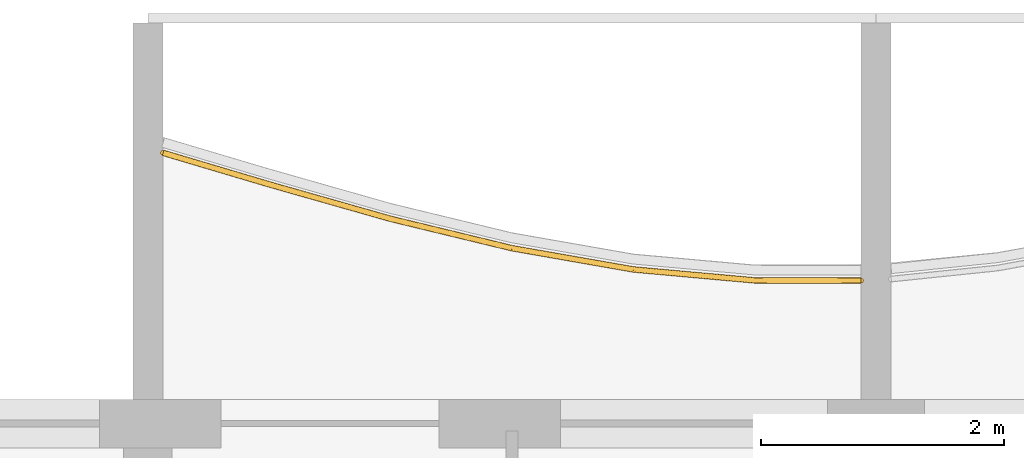
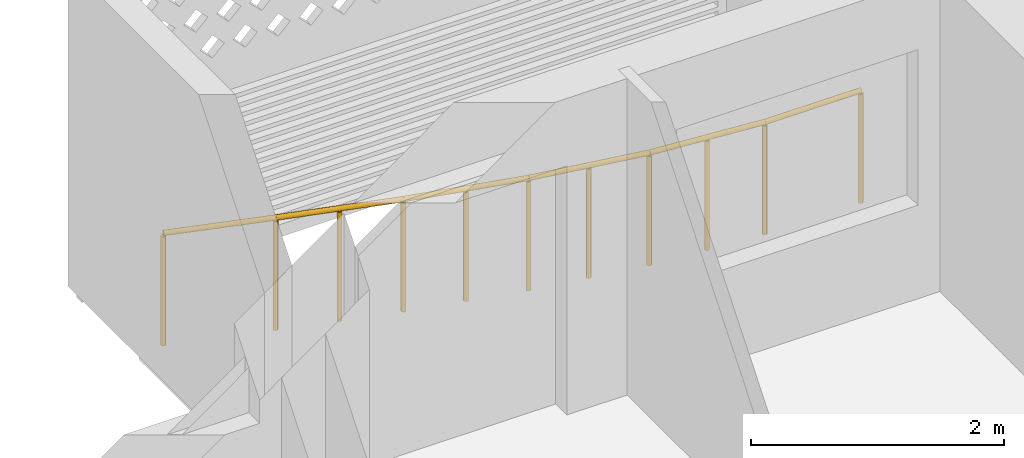
# One storey, part 33 of 40: 1 railing.
"""IFC4 building model written with IfcOpenShell, lengths in metres."""

from ifc_helpers import new_model, si_unit, direction, frame, origin, origin_2d, place, context, subcontext, project, spatial, circle, extrude, material, type_object, element, save


model = new_model("IFC4")

# Units and contexts
model_context = context("Model", 3, precision=1e-05, world=origin(), true_north=direction((0.0, 1.0)))
body_context = subcontext(model_context, "Body", "Model", "MODEL_VIEW")
ifc_project = project(units=[si_unit("LENGTHUNIT", "METRE"), si_unit("AREAUNIT", "SQUARE_METRE"), si_unit("VOLUMEUNIT", "CUBIC_METRE"), si_unit("PLANEANGLEUNIT", "RADIAN"), si_unit("MASSUNIT", "GRAM", prefix="KILO")], contexts=[model_context])

# Site, building, storey
site_placement = place(None, origin())
site = spatial("IfcSite", under=ifc_project, at=site_placement, CompositionType="ELEMENT")
building_placement = place(site_placement, origin())
building = spatial("IfcBuilding", under=site, at=building_placement, Name="Poui Terraces", CompositionType="ELEMENT")
storey_placement = place(building_placement, frame((0.0, 0.0, 36.60009765625)))
storey = spatial("IfcBuildingStorey", under=building, at=storey_placement, Name="L09", CompositionType="ELEMENT", Elevation=36.60009765625)

# Railing
ifc_material = material(Name="Painted steel fretwork", Category="steel")
railing_type = type_object("IfcRailingType", Name="BALCONY GUARD 1100", PredefinedType="GUARDRAIL", material=ifc_material)
railing_placement = place(storey_placement, frame((72.125, 47.031005859375, 0.0)))
element("IfcRailing", 1, at=railing_placement, inside=storey, type_object=railing_type, Name="BALCONY GUARD", PredefinedType="GUARDRAIL", context=body_context, shape_type="SweptSolid", body=[
    extrude(circle(Radius=0.02392578125, at=origin_2d()), frame((0.0, 0.0, 1.076171875), z_axis=(0.958646866278, -0.284598288426, 0.0), x_axis=(0.284598288426, 0.958646866278, 0.0)), (0.0, 0.0, 1.0), 0.912841796875),
    extrude(circle(Radius=0.02392578125, at=origin_2d()), frame((0.875, -0.259765625, 1.076171875), z_axis=(0.961974635381, -0.273138794177, 0.0), x_axis=(0.273138794177, 0.961974635381, 0.0)), (0.0, 0.0, 1.0), 1.03955078125),
    extrude(circle(Radius=0.02392578125, at=origin_2d()), frame((1.875, -0.543701171875, 1.076171875), z_axis=(0.97195702449, -0.235158547673, 0.0), x_axis=(0.235158547673, 0.97195702449, 0.0)), (0.0, 0.0, 1.0), 1.02880859375),
    extrude(circle(Radius=0.02392578125, at=origin_2d()), frame((2.875, -0.78564453125, 1.076171875), z_axis=(0.985022299221, -0.172426999156, 0.0), x_axis=(0.172426999156, 0.985022299221, 0.0)), (0.0, 0.0, 1.0), 1.01513671875),
    extrude(circle(Radius=0.02392578125, at=origin_2d()), frame((3.875, -0.960693359375, 1.076171875), z_axis=(0.995944862323, -0.089965722427, 0.0), x_axis=(0.089965722427, 0.995944862323, 0.0)), (0.0, 0.0, 1.0), 1.004150390625),
    extrude(circle(Radius=0.02392578125, at=origin_2d()), frame((4.875, -1.051025390625, 1.076171875), z_axis=(0.999998092657, -0.001953121275, 0.0), x_axis=(0.001953121275, 0.999998092657, 0.0)), (0.0, 0.0, 1.0), 0.875),
    extrude(circle(Radius=0.02099609375, at=origin_2d()), origin(), (0.0, 0.0, 1.0), 1.052001953125),
    extrude(circle(Radius=0.02099609375, at=origin_2d()), frame((0.875, -0.259765625, 0.0)), (0.0, 0.0, 1.0), 1.052001953125),
    extrude(circle(Radius=0.02099609375, at=origin_2d()), frame((1.375, -0.40185546875, 0.0)), (0.0, 0.0, 1.0), 1.052001953125),
    extrude(circle(Radius=0.02099609375, at=origin_2d()), frame((1.875, -0.543701171875, 0.0)), (0.0, 0.0, 1.0), 1.052001953125),
    extrude(circle(Radius=0.02099609375, at=origin_2d()), frame((2.375, -0.66455078125, 0.0)), (0.0, 0.0, 1.0), 1.052001953125),
    extrude(circle(Radius=0.02099609375, at=origin_2d()), frame((2.875, -0.78564453125, 0.0)), (0.0, 0.0, 1.0), 1.052001953125),
    extrude(circle(Radius=0.02099609375, at=origin_2d()), frame((3.375, -0.873046875, 0.0)), (0.0, 0.0, 1.0), 1.052001953125),
    extrude(circle(Radius=0.02099609375, at=origin_2d()), frame((3.875, -0.960693359375, 0.0)), (0.0, 0.0, 1.0), 1.052001953125),
    extrude(circle(Radius=0.02099609375, at=origin_2d()), frame((4.375, -1.005859375, 0.0)), (0.0, 0.0, 1.0), 1.052001953125),
    extrude(circle(Radius=0.02099609375, at=origin_2d()), frame((4.875, -1.051025390625, 0.0)), (0.0, 0.0, 1.0), 1.052001953125),
    extrude(circle(Radius=0.02099609375, at=origin_2d()), frame((5.75, -1.052734375, 0.0)), (0.0, 0.0, 1.0), 1.052001953125),
])

save(model, "model.ifc")
